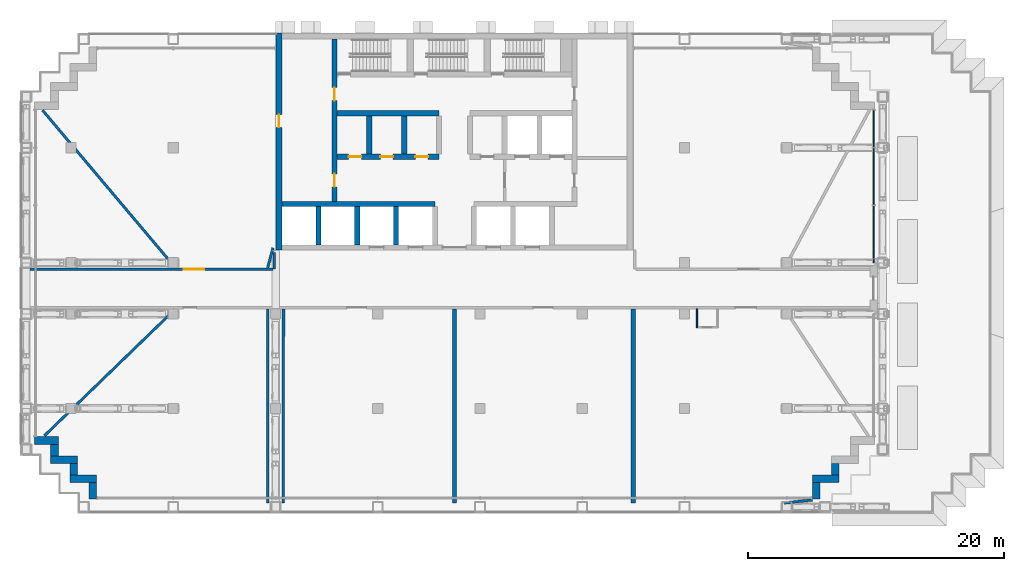
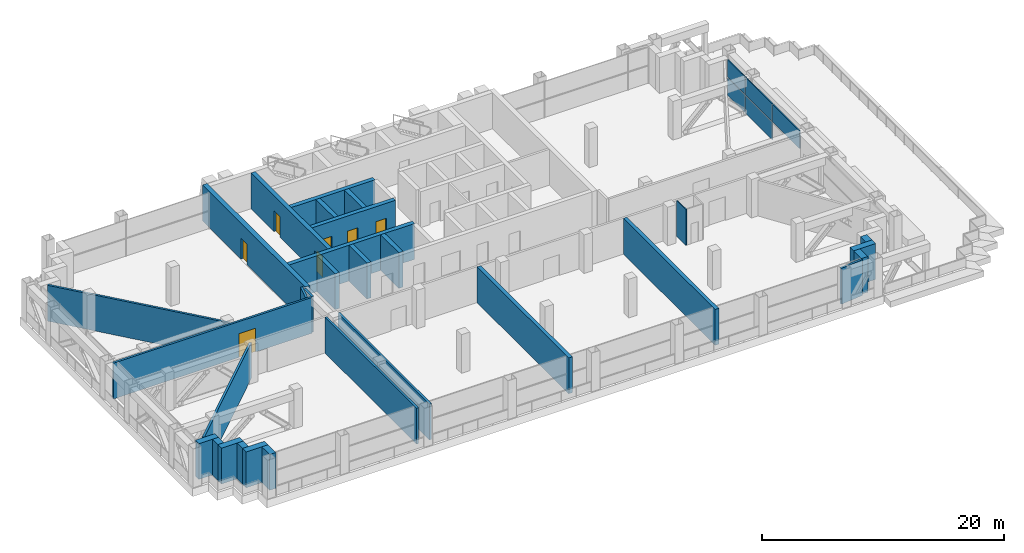
# One storey, part 8 of 25: 30 walls, 7 doors, 5 plates, 7 openings, 1 element without a shape of its own.
"""IFC4 building model written with IfcOpenShell, lengths in metres."""

import ifcopenshell
import ifcopenshell.guid

model = None  # the IFC model being written
_history = None  # IfcOwnerHistory: only IFC2X3 demands one
_inside = {}  # id of a spatial element -> (the spatial element, [elements in it])
_under = {}  # id of a project, library or spatial element -> (it, [spatial elements below it])
_declared = {}  # id of a project -> (the project, [libraries it declares])
_typed = {}  # id of a type object -> (the type object, [elements of that type])
_made_of = {}  # id of a material, layer set ... -> (it, [elements and type objects made of it])


def new_model(schema):
    """Start an empty IFC model of exactly this schema.

    Asked for "IFC4X3", IfcOpenShell would pick the latest addendum, in which some entities
    have other attributes; the version numbers below select the first issue.
    IFC2X3 requires an IfcOwnerHistory on every rooted entity: one is made here for all.
    """
    global model, _history
    if schema == "IFC4X3":
        model = ifcopenshell.file(schema_version=(4, 3, 0, 0))
    else:
        model = ifcopenshell.file(schema=schema)
    _inside.clear()
    _under.clear()
    _declared.clear()
    _typed.clear()
    _made_of.clear()
    _history = None
    if model.schema == "IFC2X3":
        org = make("IfcOrganization", Name="unknown")
        user = make(
            "IfcPersonAndOrganization",
            ThePerson=make("IfcPerson", FamilyName="unknown"),
            TheOrganization=org,
        )
        app = make(
            "IfcApplication",
            ApplicationDeveloper=org,
            Version="unknown",
            ApplicationFullName="unknown",
            ApplicationIdentifier="unknown",
        )
        _history = make(
            "IfcOwnerHistory",
            OwningUser=user,
            OwningApplication=app,
            ChangeAction="ADDED",
            CreationDate=0,
        )
    return model


def make(cls, **values):
    """One entity of the class cls with the attributes given. An attribute that is None is left unset."""
    return model.create_entity(
        cls, **{name: value for name, value in values.items() if value is not None}
    )


def rooted(cls, **values):
    """An entity with a GlobalId (a new one), such as an element, a storey or a relation."""
    return make(cls, GlobalId=ifcopenshell.guid.new(), OwnerHistory=_history, **values)


def si_unit(unit_type, name, prefix=None):
    """IfcSIUnit, for example si_unit("LENGTHUNIT", "METRE", prefix="MILLI")."""
    return make("IfcSIUnit", UnitType=unit_type, Prefix=prefix, Name=name)


def assignment(units):
    """IfcUnitAssignment: the units of a project."""
    return None if units is None else make("IfcUnitAssignment", Units=units)


def point(xyz):
    """IfcCartesianPoint."""
    return None if xyz is None else make("IfcCartesianPoint", Coordinates=xyz)


def direction(xyz):
    """IfcDirection."""
    return None if xyz is None else make("IfcDirection", DirectionRatios=xyz)


def frame(location, z_axis=None, x_axis=None):
    """IfcAxis2Placement3D, a coordinate frame: its origin and axes. An axis left out is left unset."""
    return make(
        "IfcAxis2Placement3D",
        Location=point(location),
        Axis=direction(z_axis),
        RefDirection=direction(x_axis),
    )


def frame_2d(location, x_axis=None):
    """IfcAxis2Placement2D, a coordinate frame in the plane: its origin and x axis."""
    return make(
        "IfcAxis2Placement2D", Location=point(location), RefDirection=direction(x_axis)
    )


def origin():
    """The frame at (0, 0, 0) with its axes left unset."""
    return frame((0.0, 0.0, 0.0))


def origin_2d():
    """The frame at (0, 0) in the plane with its x axis left unset."""
    return frame_2d((0.0, 0.0))


def place(relative_to, where):
    """IfcLocalPlacement: puts the frame where relative to a parent placement (None: the world)."""
    return make(
        "IfcLocalPlacement", PlacementRelTo=relative_to, RelativePlacement=where
    )


def context(
    kind, dimensions, precision=None, world=None, true_north=None, identifier=None
):
    """IfcGeometricRepresentationContext, for example the 3D "Model" context."""
    return make(
        "IfcGeometricRepresentationContext",
        ContextIdentifier=identifier,
        ContextType=kind,
        CoordinateSpaceDimension=dimensions,
        Precision=precision,
        WorldCoordinateSystem=world,
        TrueNorth=true_north,
    )


def subcontext(parent, identifier, kind, view, scale=None):
    """IfcGeometricRepresentationSubContext, for example "Body" below "Model"."""
    return make(
        "IfcGeometricRepresentationSubContext",
        ContextIdentifier=identifier,
        ContextType=kind,
        ParentContext=parent,
        TargetScale=scale,
        TargetView=view,
    )


def project(units=None, contexts=None):
    """IfcProject with its units and contexts."""
    return rooted(
        "IfcProject",
        Name="project",
        RepresentationContexts=contexts,
        UnitsInContext=assignment(units),
    )


def spatial(cls, under=None, at=None, **own):
    """A site, building, storey or space (cls), placed at a placement, below another one or the project."""
    s = rooted(cls, ObjectPlacement=at, **own)
    if under is not None:
        _under.setdefault(under.id(), (under, []))[1].append(s)
    return s


def profile(cls, at=None, kind="AREA", **sizes):
    """A parametric profile (cls). Its sizes go by their IFC names, for example OverallWidth=200.0."""
    return make(cls, ProfileType=kind, Position=at, **sizes)


def rectangle(**sizes):
    """IfcRectangleProfileDef."""
    return profile("IfcRectangleProfileDef", **sizes)


def extrude(swept, where, along, depth):
    """IfcExtrudedAreaSolid: the profile swept, set in the frame where, extruded along a direction by depth."""
    return make(
        "IfcExtrudedAreaSolid",
        SweptArea=swept,
        Position=where,
        ExtrudedDirection=direction(along),
        Depth=depth,
    )


def shape(context_of_items, identifier, shape_type, items):
    """IfcShapeRepresentation: the items that make up one representation, for example the "Body"."""
    return make(
        "IfcShapeRepresentation",
        ContextOfItems=context_of_items,
        RepresentationIdentifier=identifier,
        RepresentationType=shape_type,
        Items=items,
    )


def material(Name=None, Category=None):
    """IfcMaterial."""
    return make("IfcMaterial", Name=Name, Category=Category)


def layer(
    of_material, thickness, ventilated=None, Name=None, Category=None, Priority=None
):
    """IfcMaterialLayer: one layer of a wall or slab, of a material (None: an air gap)."""
    return make(
        "IfcMaterialLayer",
        Material=of_material,
        LayerThickness=thickness,
        IsVentilated=ventilated,
        Name=Name,
        Category=Category,
        Priority=Priority,
    )


def layer_set(layers, Name=None):
    """IfcMaterialLayerSet."""
    return make("IfcMaterialLayerSet", MaterialLayers=layers, LayerSetName=Name)


def made_of(thing, what):
    """Note that an element or type object is made of a material, layer set ...; save() writes the relation."""
    if what is not None:
        _made_of.setdefault(what.id(), (what, []))[1].append(thing)
    return thing


def type_object(cls, material=None, **own):
    """A type object (cls), such as IfcWallType, which elements share."""
    return made_of(rooted(cls, **own), material)


def element(
    cls,
    number,
    at=None,
    inside=None,
    cuts=None,
    type_object=None,
    material=None,
    context=None,
    identifier="Body",
    shape_type=None,
    held_by="IfcProductDefinitionShape",
    body=None,
    shapes=None,
    **own,
):
    """One element of the class cls, such as IfcWall. Its Tag is "e" and its number.

    at: its placement. inside: the storey or other place that contains it. cuts: it is an
    opening in that element (IfcRelVoidsElement). A single representation is given by context,
    identifier, shape_type and body (its items); several are given by shapes. held_by: the class
    of the entity that holds the representations. save() writes the other relations.
    """
    e = rooted(cls, Tag="e%d" % number, ObjectPlacement=at, **own)
    if body is not None:
        shapes = [shape(context, identifier, shape_type, body)]
    if shapes is not None:
        e.Representation = make(held_by, Representations=shapes)
    if inside is not None:
        _inside.setdefault(inside.id(), (inside, []))[1].append(e)
    if cuts is not None:
        rooted(
            "IfcRelVoidsElement", RelatingBuildingElement=cuts, RelatedOpeningElement=e
        )
    if type_object is not None:
        _typed.setdefault(type_object.id(), (type_object, []))[1].append(e)
    return made_of(e, material)


def fill(opening, filler):
    """IfcRelFillsElement: the door or window that sits in an opening."""
    return rooted(
        "IfcRelFillsElement",
        RelatingOpeningElement=opening,
        RelatedBuildingElement=filler,
    )


def aggregate(whole, parts):
    """IfcRelAggregates: a whole, such as a stair, and the parts it consists of."""
    return rooted("IfcRelAggregates", RelatingObject=whole, RelatedObjects=parts)


def save(model, path):
    """Write the relations noted so far, then the file.

    IfcRelAggregates (storeys below a building ...), IfcRelContainedInSpatialStructure (elements
    in a storey), IfcRelDefinesByType, IfcRelAssociatesMaterial and IfcRelDeclares: one each for
    every whole, place, type object, material and project.
    """
    for whole, parts in _under.values():
        aggregate(whole, parts)
    for where, things in _inside.values():
        rooted(
            "IfcRelContainedInSpatialStructure",
            RelatedElements=things,
            RelatingStructure=where,
        )
    for kind, things in _typed.values():
        rooted("IfcRelDefinesByType", RelatedObjects=things, RelatingType=kind)
    for what, things in _made_of.values():
        rooted("IfcRelAssociatesMaterial", RelatedObjects=things, RelatingMaterial=what)
    for by, libraries in _declared.values():
        rooted("IfcRelDeclares", RelatingContext=by, RelatedDefinitions=libraries)
    model.write(path)


model = new_model("IFC4")

# Units and contexts
model_context = context("Model", 3, precision=1e-05, world=origin(), true_north=direction((0.0, 1.0)))
body_context = subcontext(model_context, "Body", "Model", "MODEL_VIEW")
ifc_project = project(units=[si_unit("LENGTHUNIT", "METRE"), si_unit("AREAUNIT", "SQUARE_METRE"), si_unit("VOLUMEUNIT", "CUBIC_METRE"), si_unit("PLANEANGLEUNIT", "RADIAN"), si_unit("MASSUNIT", "GRAM", prefix="KILO")], contexts=[model_context])

# Site, building, storey
site_placement = place(None, origin())
site = spatial("IfcSite", under=ifc_project, at=site_placement, CompositionType="ELEMENT")
building_placement = place(site_placement, origin())
building = spatial("IfcBuilding", under=site, at=building_placement, Name="Vidyagriha Tower", CompositionType="ELEMENT")
storey_placement = place(building_placement, frame((0.0, 0.0, 115.89990234375)))
storey = spatial("IfcBuildingStorey", under=building, at=storey_placement, Name="L29", CompositionType="ELEMENT", Elevation=115.89990234375)

# Curtain wall, plates
ifc_material_1 = material(Name="Aluminium and glass curtain wall", Category="aluminium")
curtain_wall_type = type_object("IfcCurtainWallType", Name="Plant louvre wall", PredefinedType="USERDEFINED", material=ifc_material_1)
curtain_wall_placement = place(storey_placement, origin())
curtain_wall = element("IfcCurtainWall", 1, at=curtain_wall_placement, inside=storey, type_object=curtain_wall_type, Name="CW7 plant louvre wall", ObjectType="STICK GLAZING", PredefinedType="USERDEFINED")
ifc_material_2 = material(Name="Perforated fired clay brick jaali screen", Category="masonry")
ifc_layer_1 = layer(ifc_material_2, 0.10009765625)
ifc_layer_set_1 = layer_set([ifc_layer_1], Name="Perforated fired clay brick jaali screen")
plate_type = type_object("IfcPlateType", Name="Perforated brick jaali screen panel", PredefinedType="CURTAIN_PANEL", material=ifc_layer_set_1)
plate_1_placement = place(storey_placement, frame((32.800048828125, 4.22998046875, 1.85986328125), z_axis=(0.0, 0.0, 1.0), x_axis=(0.0, 1.0, 0.0)))
plate_1 = element("IfcPlate", 2, at=plate_1_placement, type_object=plate_type, Name="CW7 panel 1.2", PredefinedType="CURTAIN_PANEL", context=body_context, shape_type="SweptSolid", body=[
    extrude(rectangle(XDim=4.4599609375, YDim=0.10009765625, at=origin_2d()), origin(), (0.0, 0.0, 1.0), 1.760009765625),
])
plate_2_placement = place(storey_placement, frame((32.800048828125, 8.75, 0.0), z_axis=(0.0, 0.0, 1.0), x_axis=(0.0, 1.0, 0.0)))
plate_2 = element("IfcPlate", 3, at=plate_2_placement, type_object=plate_type, Name="CW7 panel 2.1", PredefinedType="CURTAIN_PANEL", context=body_context, shape_type="SweptSolid", body=[
    extrude(rectangle(XDim=4.419921875, YDim=0.10009765625, at=origin_2d()), origin(), (0.0, 0.0, 1.0), 1.760009765625),
])
plate_3_placement = place(storey_placement, frame((32.800048828125, 8.75, 1.85986328125), z_axis=(0.0, 0.0, 1.0), x_axis=(0.0, 1.0, 0.0)))
plate_3 = element("IfcPlate", 4, at=plate_3_placement, type_object=plate_type, Name="CW7 panel 2.2", PredefinedType="CURTAIN_PANEL", context=body_context, shape_type="SweptSolid", body=[
    extrude(rectangle(XDim=4.419921875, YDim=0.10009765625, at=origin_2d()), origin(), (0.0, 0.0, 1.0), 1.760009765625),
])
plate_4_placement = place(storey_placement, frame((32.800048828125, 12.47998046875, 0.0), z_axis=(0.0, 0.0, 1.0), x_axis=(0.0, 1.0, 0.0)))
plate_4 = element("IfcPlate", 5, at=plate_4_placement, type_object=plate_type, Name="CW7 panel 3.1", PredefinedType="CURTAIN_PANEL", context=body_context, shape_type="SweptSolid", body=[
    extrude(rectangle(XDim=2.8798828125, YDim=0.10009765625, at=origin_2d()), origin(), (0.0, 0.0, 1.0), 1.760009765625),
])
plate_5_placement = place(storey_placement, frame((32.800048828125, 12.47998046875, 1.85986328125), z_axis=(0.0, 0.0, 1.0), x_axis=(0.0, 1.0, 0.0)))
plate_5 = element("IfcPlate", 6, at=plate_5_placement, type_object=plate_type, Name="CW7 panel 3.2", PredefinedType="CURTAIN_PANEL", context=body_context, shape_type="SweptSolid", body=[
    extrude(rectangle(XDim=2.8798828125, YDim=0.10009765625, at=origin_2d()), origin(), (0.0, 0.0, 1.0), 1.760009765625),
])
aggregate(curtain_wall, [plate_1, plate_2, plate_3, plate_4, plate_5])

# Walls
ifc_material_3 = material(Name="Precast concrete C40/50 with brick facing", Category="concrete")
ifc_layer_2 = layer(ifc_material_3, 0.60009765625)
ifc_layer_set_2 = layer_set([ifc_layer_2], Name="Precast concrete C40/50 with brick facing")
wall_type_1 = type_object("IfcWallType", Name="Brick-faced precast wall 600", PredefinedType="STANDARD", material=ifc_layer_set_2)
wall_1_placement = place(storey_placement, frame((-32.8798828125, -11.89990234375, 0.0)))
element("IfcWall", 7, at=wall_1_placement, inside=storey, type_object=wall_type_1, Name="Stepped corner wall L29 R17", PredefinedType="STANDARD", context=body_context, shape_type="SweptSolid", body=[
    extrude(rectangle(XDim=1.8798828125, YDim=0.60009765625, at=frame_2d((0.93994140625, 0.0))), origin(), (0.0, 0.0, 1.0), 3.6201171875),
])
wall_2_placement = place(storey_placement, frame((-31.300048828125, -12.199951171875, 0.0), z_axis=(0.0, 0.0, 1.0), x_axis=(0.0, -1.0, 0.0)))
element("IfcWall", 8, at=wall_2_placement, inside=storey, type_object=wall_type_1, Name="Stepped corner wall L29 R18", PredefinedType="STANDARD", context=body_context, shape_type="SweptSolid", body=[
    extrude(rectangle(XDim=0.900146484375, YDim=0.60009765625, at=frame_2d((0.4501953125, 0.0))), origin(), (0.0, 0.0, 1.0), 3.6201171875),
])
wall_3_placement = place(storey_placement, frame((-31.60009765625, -13.39990234375, 0.0)))
element("IfcWall", 9, at=wall_3_placement, inside=storey, type_object=wall_type_1, Name="Stepped corner wall L29 R19", PredefinedType="STANDARD", context=body_context, shape_type="SweptSolid", body=[
    extrude(rectangle(XDim=2.10009765625, YDim=0.60009765625, at=frame_2d((1.050048828125, 0.0))), origin(), (0.0, 0.0, 1.0), 3.6201171875),
])
wall_4_placement = place(storey_placement, frame((-29.800048828125, -13.699951171875, 0.0), z_axis=(0.0, 0.0, 1.0), x_axis=(0.0, -1.0, 0.0)))
element("IfcWall", 10, at=wall_4_placement, inside=storey, type_object=wall_type_1, Name="Stepped corner wall L29 R20", PredefinedType="STANDARD", context=body_context, shape_type="SweptSolid", body=[
    extrude(rectangle(XDim=0.900146484375, YDim=0.60009765625, at=frame_2d((0.4501953125, 0.0))), origin(), (0.0, 0.0, 1.0), 3.6201171875),
])
wall_5_placement = place(storey_placement, frame((-30.10009765625, -14.89990234375, 0.0)))
element("IfcWall", 11, at=wall_5_placement, inside=storey, type_object=wall_type_1, Name="Stepped corner wall L29 R21", PredefinedType="STANDARD", context=body_context, shape_type="SweptSolid", body=[
    extrude(rectangle(XDim=2.10009765625, YDim=0.60009765625, at=frame_2d((1.050048828125, 0.0))), origin(), (0.0, 0.0, 1.0), 3.6201171875),
])
for number, where, z_axis, x_axis, name in (
    (12, (-28.300048828125, -15.199951171875, 0.0), (0.0, 0.0, 1.0), (0.0, -1.0, 0.0), "Stepped corner wall L29 R22"),
    (13, (28.300048828125, -16.47998046875, 0.0), (0.0, 0.0, 1.0), (0.0, 1.0, 0.0), "Stepped corner wall L29 R24"),
):
    element("IfcWall", number, at=place(storey_placement, frame(where, z_axis=z_axis, x_axis=x_axis)), inside=storey, type_object=wall_type_1, Name=name, PredefinedType="STANDARD", context=body_context, shape_type="SweptSolid", body=[
        extrude(rectangle(XDim=1.280029296875, YDim=0.60009765625, at=frame_2d((0.64013671875, 0.0))), origin(), (0.0, 0.0, 1.0), 3.6201171875),
    ])
wall_6_placement = place(storey_placement, frame((28.0, -14.89990234375, 0.0)))
element("IfcWall", 14, at=wall_6_placement, inside=storey, type_object=wall_type_1, Name="Stepped corner wall L29 R25", PredefinedType="STANDARD", context=body_context, shape_type="SweptSolid", body=[
    extrude(rectangle(XDim=2.10009765625, YDim=0.60009765625, at=frame_2d((1.050048828125, 0.0))), origin(), (0.0, 0.0, 1.0), 3.6201171875),
])
wall_7_placement = place(storey_placement, frame((29.800048828125, -14.60009765625, 0.0), z_axis=(0.0, 0.0, 1.0), x_axis=(0.0, 1.0, 0.0)))
element("IfcWall", 15, at=wall_7_placement, inside=storey, type_object=wall_type_1, Name="Stepped corner wall L29 R26", PredefinedType="STANDARD", context=body_context, shape_type="SweptSolid", body=[
    extrude(rectangle(XDim=0.900146484375, YDim=0.60009765625, at=frame_2d((0.4501953125, 0.0))), origin(), (0.0, 0.0, 1.0), 3.6201171875),
])

# Wall, openings, doors
ifc_material_4 = material(Name="Concrete C60/75", Category="concrete")
ifc_layer_3 = layer(ifc_material_4, 0.39990234375)
ifc_layer_set_3 = layer_set([ifc_layer_3], Name="Concrete C60/75")
wall_type_2 = type_object("IfcWallType", Name="Core shear wall 400 mm", PredefinedType="SHEAR", material=ifc_layer_set_3)
wall_8_placement = place(storey_placement, frame((-9.39990234375, 6.800048828125, 0.0), z_axis=(0.0, 0.0, 1.0), x_axis=(0.0, 1.0, 0.0)))
wall_8 = element("IfcWall", 16, at=wall_8_placement, inside=storey, type_object=wall_type_2, Name="Core west spine wall", PredefinedType="SHEAR", context=body_context, shape_type="SweptSolid", body=[
    extrude(rectangle(XDim=12.699951171875, YDim=0.39990234375, at=frame_2d((6.35009765625, 0.0))), origin(), (0.0, 0.0, 1.0), 3.6201171875),
])
opening_1_placement = place(wall_8_placement, frame((1.14990234375, 0.0, 0.0)))
opening_1 = element("IfcOpeningElement", 17, at=opening_1_placement, cuts=wall_8, Name="Opening D29-11", PredefinedType="OPENING", context=body_context, shape_type="SweptSolid", body=[
    extrude(rectangle(XDim=1.0, YDim=2.10009765625, at=frame_2d((0.5, 1.050048828125))), frame((0.0, 0.2099609375, 0.0), z_axis=(0.0, -1.0, 0.0), x_axis=(1.0, 0.0, 0.0)), (0.0, 0.0, 1.0), 0.419921875),
])
opening_2_placement = place(wall_8_placement, frame((7.89990234375, 0.0, 0.0)))
opening_2 = element("IfcOpeningElement", 18, at=opening_2_placement, cuts=wall_8, Name="Opening D29-12", PredefinedType="OPENING", context=body_context, shape_type="SweptSolid", body=[
    extrude(rectangle(XDim=1.0, YDim=2.10009765625, at=frame_2d((0.5, 1.050048828125))), frame((0.0, 0.2099609375, 0.0), z_axis=(0.0, -1.0, 0.0), x_axis=(1.0, 0.0, 0.0)), (0.0, 0.0, 1.0), 0.419921875),
])
ifc_material_5 = material(Name="Hollow metal door leaf")
door_type_1 = type_object("IfcDoorType", Name="Core room door 1000 x 2100 mm EI 60", OperationType="NOTDEFINED", PredefinedType="DOOR", material=ifc_material_5)
door_1_placement = place(opening_1_placement, frame((1.0, 0.0, 0.0), z_axis=(0.0, 0.0, 1.0), x_axis=(-1.0, 0.0, 0.0)))
door_1 = element("IfcDoor", 19, at=door_1_placement, inside=storey, type_object=door_type_1, Name="Door Plant Link Corridor 29.W lobby", OperationType="SINGLE_SWING_RIGHT", OverallHeight=2.10009765625, OverallWidth=1.0, PredefinedType="DOOR", context=body_context, shape_type="SweptSolid", body=[
    extrude(rectangle(XDim=1.0, YDim=2.10009765625, at=frame_2d((0.5, 1.050048828125))), frame((0.0, 0.02490234375, 0.0), z_axis=(0.0, -1.0, 0.0), x_axis=(1.0, 0.0, 0.0)), (0.0, 0.0, 1.0), 0.050048828125),
])
fill(opening_1, door_1)
door_2_placement = place(opening_2_placement, frame((1.0, 0.0, 0.0), z_axis=(0.0, 0.0, 1.0), x_axis=(-1.0, 0.0, 0.0)))
door_2 = element("IfcDoor", 20, at=door_2_placement, inside=storey, type_object=door_type_1, Name="Door Plant Link Corridor 29.W corridor", OperationType="SINGLE_SWING_LEFT", OverallHeight=2.10009765625, OverallWidth=1.0, PredefinedType="DOOR", context=body_context, shape_type="SweptSolid", body=[
    extrude(rectangle(XDim=1.0, YDim=2.10009765625, at=frame_2d((0.5, 1.050048828125))), frame((0.0, 0.02490234375, 0.0), z_axis=(0.0, -1.0, 0.0), x_axis=(1.0, 0.0, 0.0)), (0.0, 0.0, 1.0), 0.050048828125),
])
fill(opening_2, door_2)

# Walls
wall_9_placement = place(storey_placement, frame((-13.5, 6.60009765625, 0.0)))
element("IfcWall", 21, at=wall_9_placement, inside=storey, type_object=wall_type_2, Name="Core lobby south wall west", PredefinedType="SHEAR", context=body_context, shape_type="SweptSolid", body=[
    extrude(rectangle(XDim=11.977783203125, YDim=0.39990234375, at=frame_2d((5.98876953125, 0.0))), origin(), (0.0, 0.0, 1.0), 3.6201171875),
])
for number, where, z_axis, x_axis, name in (
    (22, (-10.655517578125, 3.39990234375, 0.0), (0.0, 0.0, 1.0), (0.0, 1.0, 0.0), "Core bay wall S1"),
    (23, (-7.611083984375, 3.39990234375, 0.0), (0.0, 0.0, 1.0), (0.0, 1.0, 0.0), "Core bay wall S2"),
    (24, (-4.566650390625, 3.39990234375, 0.0), (0.0, 0.0, 1.0), (0.0, 1.0, 0.0), "Core bay wall S3"),
):
    element("IfcWall", number, at=place(storey_placement, frame(where, z_axis=z_axis, x_axis=x_axis)), inside=storey, type_object=wall_type_2, Name=name, PredefinedType="SHEAR", context=body_context, shape_type="SweptSolid", body=[
        extrude(rectangle(XDim=3.0, YDim=0.39990234375, at=frame_2d((1.5, 0.0))), origin(), (0.0, 0.0, 1.0), 3.6201171875),
    ])

# Wall, openings, doors
wall_10_placement = place(storey_placement, frame((-9.199951171875, 10.300048828125, 0.0)))
wall_10 = element("IfcWall", 25, at=wall_10_placement, inside=storey, type_object=wall_type_2, Name="Core row N front wall", PredefinedType="SHEAR", context=body_context, shape_type="SweptSolid", body=[
    extrude(rectangle(XDim=8.0, YDim=0.39990234375, at=frame_2d((4.0, 0.0))), origin(), (0.0, 0.0, 1.0), 3.6201171875),
])
opening_3_placement = place(wall_10_placement, frame((0.916748046875, 0.0, 0.0)))
opening_3 = element("IfcOpeningElement", 26, at=opening_3_placement, cuts=wall_10, Name="Opening D29-03", PredefinedType="OPENING", context=body_context, shape_type="SweptSolid", body=[
    extrude(rectangle(XDim=1.0, YDim=2.10009765625, at=frame_2d((0.5, 1.050048828125))), frame((0.0, 0.2099609375, 0.0), z_axis=(0.0, -1.0, 0.0), x_axis=(1.0, 0.0, 0.0)), (0.0, 0.0, 1.0), 0.419921875),
])
opening_4_placement = place(wall_10_placement, frame((3.39990234375, 0.0, 0.0)))
opening_4 = element("IfcOpeningElement", 27, at=opening_4_placement, cuts=wall_10, Name="Opening D29-04", PredefinedType="OPENING", context=body_context, shape_type="SweptSolid", body=[
    extrude(rectangle(XDim=1.0, YDim=2.10009765625, at=frame_2d((0.5, 1.050048828125))), frame((0.0, 0.2099609375, 0.0), z_axis=(0.0, -1.0, 0.0), x_axis=(1.0, 0.0, 0.0)), (0.0, 0.0, 1.0), 0.419921875),
])
opening_5_placement = place(wall_10_placement, frame((6.13330078125, 0.0, 0.0)))
opening_5 = element("IfcOpeningElement", 28, at=opening_5_placement, cuts=wall_10, Name="Opening D29-05", PredefinedType="OPENING", context=body_context, shape_type="SweptSolid", body=[
    extrude(rectangle(XDim=1.0, YDim=2.10009765625, at=frame_2d((0.5, 1.050048828125))), frame((0.0, 0.2099609375, 0.0), z_axis=(0.0, -1.0, 0.0), x_axis=(1.0, 0.0, 0.0)), (0.0, 0.0, 1.0), 0.419921875),
])
door_3_placement = place(opening_3_placement, frame((1.0, 0.0, 0.0), z_axis=(0.0, 0.0, 1.0), x_axis=(-1.0, 0.0, 0.0)))
door_3 = element("IfcDoor", 29, at=door_3_placement, inside=storey, type_object=door_type_1, Name="Door Communications Room 29.14", OperationType="SINGLE_SWING_RIGHT", OverallHeight=2.10009765625, OverallWidth=1.0, PredefinedType="DOOR", context=body_context, shape_type="SweptSolid", body=[
    extrude(rectangle(XDim=1.0, YDim=2.10009765625, at=frame_2d((0.5, 1.050048828125))), frame((0.0, 0.02490234375, 0.0), z_axis=(0.0, -1.0, 0.0), x_axis=(1.0, 0.0, 0.0)), (0.0, 0.0, 1.0), 0.050048828125),
])
fill(opening_3, door_3)
door_4_placement = place(opening_4_placement, frame((1.0, 0.0, 0.0), z_axis=(0.0, 0.0, 1.0), x_axis=(-1.0, 0.0, 0.0)))
door_4 = element("IfcDoor", 30, at=door_4_placement, inside=storey, type_object=door_type_1, Name="Door Refuse Room 29.15", OperationType="SINGLE_SWING_RIGHT", OverallHeight=2.10009765625, OverallWidth=1.0, PredefinedType="DOOR", context=body_context, shape_type="SweptSolid", body=[
    extrude(rectangle(XDim=1.0, YDim=2.10009765625, at=frame_2d((0.5, 1.050048828125))), frame((0.0, 0.02490234375, 0.0), z_axis=(0.0, -1.0, 0.0), x_axis=(1.0, 0.0, 0.0)), (0.0, 0.0, 1.0), 0.050048828125),
])
fill(opening_4, door_4)
door_5_placement = place(opening_5_placement, frame((1.0, 0.0, 0.0), z_axis=(0.0, 0.0, 1.0), x_axis=(-1.0, 0.0, 0.0)))
door_5 = element("IfcDoor", 31, at=door_5_placement, inside=storey, type_object=door_type_1, Name="Door Pressurisation Plant Room 29.16", OperationType="SINGLE_SWING_LEFT", OverallHeight=2.10009765625, OverallWidth=1.0, PredefinedType="DOOR", context=body_context, shape_type="SweptSolid", body=[
    extrude(rectangle(XDim=1.0, YDim=2.10009765625, at=frame_2d((0.5, 1.050048828125))), frame((0.0, 0.02490234375, 0.0), z_axis=(0.0, -1.0, 0.0), x_axis=(1.0, 0.0, 0.0)), (0.0, 0.0, 1.0), 0.050048828125),
])
fill(opening_5, door_5)

# Walls
wall_11_placement = place(storey_placement, frame((-9.199951171875, 13.699951171875, 0.0)))
element("IfcWall", 32, at=wall_11_placement, inside=storey, type_object=wall_type_2, Name="Core row N rear wall", PredefinedType="SHEAR", context=body_context, shape_type="SweptSolid", body=[
    extrude(rectangle(XDim=8.0, YDim=0.39990234375, at=frame_2d((4.0, 0.0))), origin(), (0.0, 0.0, 1.0), 3.6201171875),
])
for number, where, z_axis, x_axis, name in (
    (33, (-6.666748046875, 10.5, 0.0), (0.0, 0.0, 1.0), (0.0, 1.0, 0.0), "Core bay wall N1"),
    (34, (-3.933349609375, 10.5, 0.0), (0.0, 0.0, 1.0), (0.0, 1.0, 0.0), "Core bay wall N2"),
):
    element("IfcWall", number, at=place(storey_placement, frame(where, z_axis=z_axis, x_axis=x_axis)), inside=storey, type_object=wall_type_2, Name=name, PredefinedType="SHEAR", context=body_context, shape_type="SweptSolid", body=[
        extrude(rectangle(XDim=3.0, YDim=0.39990234375, at=frame_2d((1.5, 0.0))), origin(), (0.0, 0.0, 1.0), 3.6201171875),
    ])

# Wall, opening, door
ifc_material_6 = material(Name="Concrete C60/75", Category="concrete")
ifc_layer_4 = layer(ifc_material_6, 0.449951171875)
ifc_layer_set_4 = layer_set([ifc_layer_4], Name="Concrete C60/75")
wall_type_3 = type_object("IfcWallType", Name="Core shear wall 450 mm", PredefinedType="SHEAR", material=ifc_layer_set_4)
wall_12_placement = place(storey_placement, frame((-13.72509765625, 3.0, 0.0), z_axis=(0.0, 0.0, 1.0), x_axis=(0.0, 1.0, 0.0)))
wall_12 = element("IfcWall", 35, at=wall_12_placement, inside=storey, type_object=wall_type_3, Name="Core west wall", PredefinedType="SHEAR", context=body_context, shape_type="SweptSolid", body=[
    extrude(rectangle(XDim=17.0, YDim=0.449951171875, at=frame_2d((8.5, 0.0))), origin(), (0.0, 0.0, 1.0), 3.6201171875),
])
opening_6_placement = place(wall_12_placement, frame((9.60009765625, 0.0, 0.0)))
opening_6 = element("IfcOpeningElement", 36, at=opening_6_placement, cuts=wall_12, Name="Opening D29-13", PredefinedType="OPENING", context=body_context, shape_type="SweptSolid", body=[
    extrude(rectangle(XDim=1.0, YDim=2.10009765625, at=frame_2d((0.5, 1.050048828125))), frame((0.0, 0.23486328125, 0.0), z_axis=(0.0, -1.0, 0.0), x_axis=(1.0, 0.0, 0.0)), (0.0, 0.0, 1.0), 0.469970703125),
])
door_6_placement = place(opening_6_placement, origin())
door_6 = element("IfcDoor", 37, at=door_6_placement, inside=storey, type_object=door_type_1, Name="Door plant bay 29.W13", OperationType="SINGLE_SWING_LEFT", OverallHeight=2.10009765625, OverallWidth=1.0, PredefinedType="DOOR", context=body_context, shape_type="SweptSolid", body=[
    extrude(rectangle(XDim=1.0, YDim=2.10009765625, at=frame_2d((0.5, 1.050048828125))), frame((0.0, 0.02490234375, 0.0), z_axis=(0.0, -1.0, 0.0), x_axis=(1.0, 0.0, 0.0)), (0.0, 0.0, 1.0), 0.050048828125),
])
fill(opening_6, door_6)

ifc_material_7 = material(Name="Blockwork 15 MPa", Category="masonry")
ifc_layer_5 = layer(ifc_material_7, 0.199951171875)
ifc_layer_set_5 = layer_set([ifc_layer_5], Name="Blockwork 15 MPa")
wall_type_4 = type_object("IfcWallType", Name="Service room partition 200 mm", PredefinedType="PARTITIONING", material=ifc_layer_set_5)
wall_13_placement = place(storey_placement, frame((-33.199951171875, 1.5, 0.0)))
wall_13 = element("IfcWall", 38, at=wall_13_placement, inside=storey, type_object=wall_type_4, Name="Plant corridor north wall west", PredefinedType="PARTITIONING", context=body_context, shape_type="SweptSolid", body=[
    extrude(rectangle(XDim=19.0, YDim=0.199951171875, at=frame_2d((9.5, 0.0))), origin(), (0.0, 0.0, 1.0), 3.6201171875),
])
opening_7_placement = place(wall_13_placement, frame((12.0, 0.0, 0.0)))
opening_7 = element("IfcOpeningElement", 39, at=opening_7_placement, cuts=wall_13, Name="Opening D29-21", PredefinedType="OPENING", context=body_context, shape_type="SweptSolid", body=[
    extrude(rectangle(XDim=1.60009765625, YDim=2.39990234375, at=frame_2d((0.800048828125, 1.199951171875))), frame((0.0, 0.10986328125, 0.0), z_axis=(0.0, -1.0, 0.0), x_axis=(1.0, 0.0, 0.0)), (0.0, 0.0, 1.0), 0.219970703125),
])
ifc_material_8 = material(Name="Hollow metal door leaf")
door_type_2 = type_object("IfcDoorType", Name="Plant room double door 1600 x 2400 mm EI 90", OperationType="NOTDEFINED", PredefinedType="DOOR", material=ifc_material_8)
door_7_placement = place(opening_7_placement, frame((1.60009765625, 0.0, 0.0), z_axis=(0.0, 0.0, 1.0), x_axis=(-1.0, 0.0, 0.0)))
door_7 = element("IfcDoor", 40, at=door_7_placement, inside=storey, type_object=door_type_2, Name="Door Smoke Extract Plant Room 29.W1", OperationType="DOUBLE_DOOR_SINGLE_SWING", OverallHeight=2.39990234375, OverallWidth=1.60009765625, PredefinedType="DOOR", context=body_context, shape_type="SweptSolid", body=[
    extrude(rectangle(XDim=1.60009765625, YDim=2.39990234375, at=frame_2d((0.800048828125, 1.199951171875))), frame((0.0, 0.02490234375, 0.0), z_axis=(0.0, -1.0, 0.0), x_axis=(1.0, 0.0, 0.0)), (0.0, 0.0, 1.0), 0.050048828125),
])
fill(opening_7, door_7)

# Walls
wall_14_placement = place(storey_placement, frame((-14.10009765625, 1.5, 0.0), z_axis=(0.0, 0.0, 1.0), x_axis=(0.0, 1.0, 0.0)))
element("IfcWall", 41, at=wall_14_placement, inside=storey, type_object=wall_type_4, Name="Lift hall west return wall", PredefinedType="PARTITIONING", context=body_context, shape_type="SweptSolid", body=[
    extrude(rectangle(XDim=1.31005859375, YDim=0.199951171875, at=frame_2d((0.655029296875, 0.0))), origin(), (0.0, 0.0, 1.0), 3.6201171875),
])
wall_15_placement = place(storey_placement, frame((-13.39990234375, -16.800048828125, 0.0), z_axis=(0.0, 0.0, 1.0), x_axis=(0.001317077513, 0.999999132653, 0.0)))
element("IfcWall", 42, at=wall_15_placement, inside=storey, type_object=wall_type_4, Name="Plant room wall", PredefinedType="PARTITIONING", context=body_context, shape_type="SweptSolid", body=[
    extrude(rectangle(XDim=15.199951171875, YDim=0.199951171875, at=frame_2d((7.60009765625, 0.0))), origin(), (0.0, 0.0, 1.0), 3.6201171875),
])
wall_16_placement = place(storey_placement, frame((25.830078125, -16.800048828125, 0.0), z_axis=(0.0, 0.0, 1.0), x_axis=(0.993841474797, 0.110811204185, 0.0)))
element("IfcWall", 43, at=wall_16_placement, inside=storey, type_object=wall_type_4, Name="Plant room wall", PredefinedType="PARTITIONING", context=body_context, shape_type="SweptSolid", body=[
    extrude(rectangle(XDim=2.187744140625, YDim=0.199951171875, at=frame_2d((1.09375, 0.0))), origin(), (0.0, 0.0, 1.0), 3.6201171875),
])
wall_17_placement = place(storey_placement, frame((-32.08984375, -11.534912109375, 0.0), z_axis=(0.0, 0.0, 1.0), x_axis=(0.718386628717, 0.695644055304, 0.0)))
element("IfcWall", 44, at=wall_17_placement, inside=storey, type_object=wall_type_4, Name="Plant room wall", PredefinedType="PARTITIONING", context=body_context, shape_type="SweptSolid", body=[
    extrude(rectangle(XDim=14.191650390625, YDim=0.199951171875, at=frame_2d((7.095703125, 0.0))), origin(), (0.0, 0.0, 1.0), 3.6201171875),
])
wall_18_placement = place(storey_placement, frame((-14.6201171875, -16.800048828125, 0.0), z_axis=(0.0, 0.0, 1.0), x_axis=(0.0, 1.0, 0.0)))
element("IfcWall", 45, at=wall_18_placement, inside=storey, type_object=wall_type_4, Name="Plant room wall", PredefinedType="PARTITIONING", context=body_context, shape_type="SweptSolid", body=[
    extrude(rectangle(XDim=15.199951171875, YDim=0.199951171875, at=frame_2d((7.60009765625, 0.0))), origin(), (0.0, 0.0, 1.0), 3.6201171875),
])
wall_19_placement = place(storey_placement, frame((-14.61474609375, 1.619384765625, 0.0), z_axis=(0.0, 0.0, 1.0), x_axis=(0.258429414785, 0.966030143201, 0.0)))
element("IfcWall", 46, at=wall_19_placement, inside=storey, type_object=wall_type_4, Name="Plant room wall", PredefinedType="PARTITIONING", context=body_context, shape_type="SweptSolid", body=[
    extrude(rectangle(XDim=1.60498046875, YDim=0.199951171875, at=frame_2d((0.802490234375, 0.0))), origin(), (0.0, 0.0, 1.0), 3.6201171875),
])
wall_20_placement = place(storey_placement, frame((-32.24169921875, 13.943359375, 0.0), z_axis=(0.0, 0.0, 1.0), x_axis=(0.644761098281, -0.764384148281, 0.0)))
element("IfcWall", 47, at=wall_20_placement, inside=storey, type_object=wall_type_4, Name="Plant room wall", PredefinedType="PARTITIONING", context=body_context, shape_type="SweptSolid", body=[
    extrude(rectangle(XDim=16.068115234375, YDim=0.199951171875, at=frame_2d((8.0341796875, 0.0))), origin(), (0.0, 0.0, 1.0), 3.6201171875),
])
ifc_material_9 = material(Name="Blockwork 15 MPa", Category="masonry")
ifc_layer_6 = layer(ifc_material_9, 0.35009765625)
ifc_layer_set_6 = layer_set([ifc_layer_6], Name="Blockwork 15 MPa")
wall_type_5 = type_object("IfcWallType", Name="Service room partition 350 mm", PredefinedType="PARTITIONING", material=ifc_layer_set_6)
for number, where, z_axis, x_axis, name in (
    (48, (0.0, -16.800048828125, 0.0), (0.0, 0.0, 1.0), (0.0, 1.0, 0.0), "Plant room wall"),
    (49, (14.0, -16.800048828125, 0.0), (0.0, 0.0, 1.0), (0.0, 1.0, 0.0), "Plant room wall"),
):
    element("IfcWall", number, at=place(storey_placement, frame(where, z_axis=z_axis, x_axis=x_axis)), inside=storey, type_object=wall_type_5, Name=name, PredefinedType="PARTITIONING", context=body_context, shape_type="SweptSolid", body=[
        extrude(rectangle(XDim=15.199951171875, YDim=0.35009765625, at=frame_2d((7.60009765625, 0.0))), origin(), (0.0, 0.0, 1.0), 3.6201171875),
    ])
ifc_material_10 = material(Name="Gypsum shaft liner")
ifc_layer_7 = layer(ifc_material_10, 0.10009765625)
ifc_layer_set_7 = layer_set([ifc_layer_7], Name="Gypsum shaft liner")
wall_type_6 = type_object("IfcWallType", Name="Shaft liner wall 100 mm", PredefinedType="PARTITIONING", material=ifc_layer_set_7)
wall_21_placement = place(storey_placement, frame((18.97509765625, -1.60009765625, 0.0), z_axis=(0.0, 0.0, 1.0), x_axis=(0.0, -1.0, 0.0)))
element("IfcWall", 50, at=wall_21_placement, inside=storey, type_object=wall_type_6, Name="Riser liner wall", PredefinedType="PARTITIONING", context=body_context, shape_type="SweptSolid", body=[
    extrude(rectangle(XDim=1.5, YDim=0.10009765625, at=frame_2d((0.75, 0.0))), origin(), (0.0, 0.0, 1.0), 3.6201171875),
])

save(model, "model.ifc")
